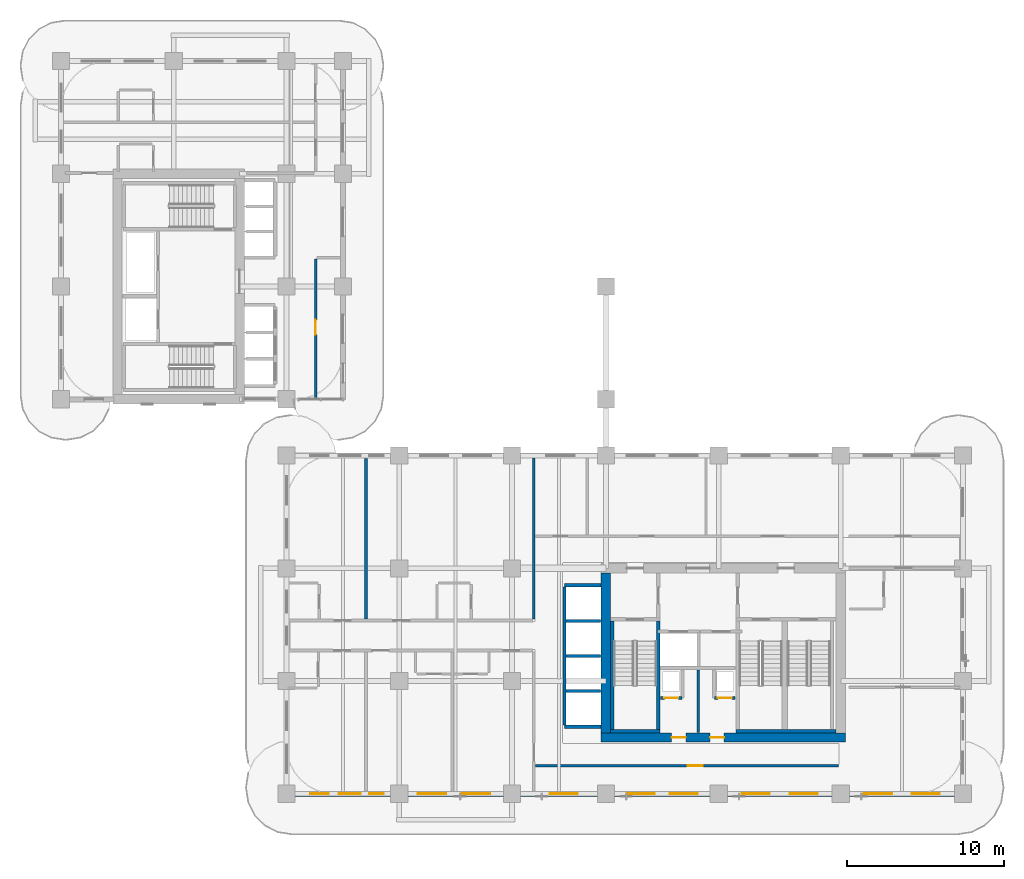
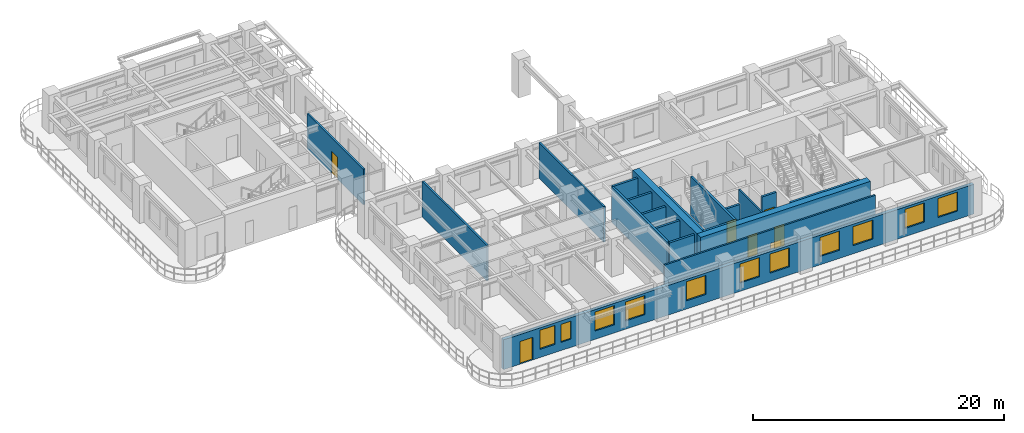
# One storey, part 8 of 19: 20 walls, 11 windows, 7 doors, 18 openings.
"""IFC4 building model written with IfcOpenShell, lengths in metres."""

from ifc_helpers import new_model, si_unit, derived_unit, direction, frame, frame_2d, origin, place, context, subcontext, project, spatial, rectangle, extrude, source, transform, mapped, material, layer, layer_set, type_object, type_shapes, element, fill, save


model = new_model("IFC4")

# Units and contexts
model_context = context("Model", 3, precision=1e-05, world=origin(), true_north=direction((0.0, 1.0)))
body_context = subcontext(model_context, "Body", "Model", "MODEL_VIEW")
ifc_project = project(units=[si_unit("LENGTHUNIT", "METRE"), si_unit("AREAUNIT", "SQUARE_METRE"), si_unit("VOLUMEUNIT", "CUBIC_METRE"), si_unit("PLANEANGLEUNIT", "RADIAN"), si_unit("MASSUNIT", "GRAM", prefix="KILO"), si_unit("THERMODYNAMICTEMPERATUREUNIT", "KELVIN"), si_unit("POWERUNIT", "WATT"), derived_unit("THERMALTRANSMITTANCEUNIT", [(si_unit("POWERUNIT", "WATT"), 1), (si_unit("AREAUNIT", "SQUARE_METRE"), -1), (si_unit("THERMODYNAMICTEMPERATUREUNIT", "KELVIN"), -1)])], contexts=[model_context])

# Site, building, storey
site_placement = place(None, origin())
site = spatial("IfcSite", under=ifc_project, at=site_placement, CompositionType="ELEMENT")
building_placement = place(site_placement, origin())
building = spatial("IfcBuilding", under=site, at=building_placement, Name="Zahravan Archway Hotel and Residences", CompositionType="ELEMENT")
storey_placement = place(building_placement, frame((0.0, 0.0, 32.39990234375)))
storey = spatial("IfcBuildingStorey", under=building, at=storey_placement, Name="L06", CompositionType="ELEMENT", Elevation=32.39990234375)

# Wall, openings, doors
ifc_material_1 = material(Name="Concrete C70/85", Category="concrete")
ifc_layer_1 = layer(ifc_material_1, 0.60009765625, Name="Concrete C70/85", Category="concrete")
ifc_layer_set_1 = layer_set([ifc_layer_1], Name="Concrete C70/85")
wall_type_1 = type_object("IfcWallType", Name="CW-CORE-600", PredefinedType="SHEAR", material=ifc_layer_set_1)
wall_1_placement = place(storey_placement, frame((34.5, 3.60009765625, 0.0), z_axis=(0.0, 0.0, 1.0), x_axis=(1.0, 0.0, 0.0)))
wall_1 = element("IfcWall", 1, at=wall_1_placement, inside=storey, type_object=wall_type_1, Name="L06 Core A Shear S Wall 600 mm", PredefinedType="SHEAR", context=body_context, shape_type="SweptSolid", body=[
    extrude(rectangle(XDim=15.60009765625, YDim=0.60009765625, at=frame_2d((7.800048828125, 0.0))), origin(), (0.0, 0.0, 1.0), 3.7001953125),
])
opening_1_placement = place(wall_1_placement, frame((4.5, 0.0, 0.0)))
opening_1 = element("IfcOpeningElement", 2, at=opening_1_placement, cuts=wall_1, Name="Opening FD-R1", PredefinedType="OPENING", context=body_context, shape_type="SweptSolid", body=[
    extrude(rectangle(XDim=0.89990234375, YDim=2.10009765625, at=frame_2d((0.449951171875, 1.050048828125))), frame((0.0, 0.31005859375, 0.0), z_axis=(0.0, -1.0, 0.0), x_axis=(1.0, 0.0, 0.0)), (0.0, 0.0, 1.0), 0.6201171875),
])
opening_2_placement = place(wall_1_placement, frame((6.949951171875, 0.0, 0.0)))
opening_2 = element("IfcOpeningElement", 3, at=opening_2_placement, cuts=wall_1, Name="Opening FD-R1", PredefinedType="OPENING", context=body_context, shape_type="SweptSolid", body=[
    extrude(rectangle(XDim=0.89990234375, YDim=2.10009765625, at=frame_2d((0.449951171875, 1.050048828125))), frame((0.0, 0.31005859375, 0.0), z_axis=(0.0, -1.0, 0.0), x_axis=(1.0, 0.0, 0.0)), (0.0, 0.0, 1.0), 0.6201171875),
])
ifc_material_2 = material(Name="Fire-Rated Painted Steel", Category="steel")
door_type_1 = type_object("IfcDoorType", Name="FD-RISER-900", OperationType="NOTDEFINED", PredefinedType="DOOR", material=ifc_material_2)
shared_shape_1 = source(origin(), body_context, "Body", "SweptSolid", [
    extrude(rectangle(XDim=0.89990234375, YDim=2.10009765625, at=frame_2d((0.449951171875, 1.050048828125))), frame((0.0, 0.02490234375, 0.0), z_axis=(0.0, -1.0, 0.0), x_axis=(1.0, 0.0, 0.0)), (0.0, 0.0, 1.0), 0.050048828125),
])
type_shapes(door_type_1, [shared_shape_1])
door_1_placement = place(opening_1_placement, origin())
door_1 = element("IfcDoor", 4, at=door_1_placement, inside=storey, type_object=door_type_1, Name="L06 Electrical Switchgear Door", OperationType="SINGLE_SWING_LEFT", OverallHeight=2.10009765625, OverallWidth=0.89990234375, PredefinedType="DOOR", context=body_context, shape_type="MappedRepresentation", body=[
    mapped(shared_shape_1, transform((0.0, 0.0, 0.0), scale=1.0)),
])
fill(opening_1, door_1)
door_2_placement = place(opening_2_placement, origin())
door_2 = element("IfcDoor", 5, at=door_2_placement, inside=storey, type_object=door_type_1, Name="L06 Telecom BMS Door", OperationType="SINGLE_SWING_RIGHT", OverallHeight=2.10009765625, OverallWidth=0.89990234375, PredefinedType="DOOR", context=body_context, shape_type="MappedRepresentation", body=[
    mapped(shared_shape_1, transform((0.0, 0.0, 0.0), scale=1.0)),
])
fill(opening_2, door_2)

# Wall
wall_2_placement = place(storey_placement, frame((34.800048828125, 3.89990234375, 0.0), z_axis=(0.0, 0.0, 1.0), x_axis=(0.0, 1.0, 0.0)))
element("IfcWall", 6, at=wall_2_placement, inside=storey, type_object=wall_type_1, Name="L06 Core A Shear W Wall 600 mm", PredefinedType="SHEAR", context=body_context, shape_type="SweptSolid", body=[
    extrude(rectangle(XDim=10.2001953125, YDim=0.60009765625, at=frame_2d((5.10009765625, 0.0))), origin(), (0.0, 0.0, 1.0), 3.7001953125),
])

# Wall, openings, door, windows
ifc_material_3 = material(Name="Agra Buff Sandstone & Insulated Backup", Category="masonry")
ifc_layer_2 = layer(ifc_material_3, 0.320068359375, Name="Agra Buff Sandstone & Insulated Backup", Category="masonry")
ifc_layer_set_2 = layer_set([ifc_layer_2], Name="Agra Buff Sandstone & Insulated Backup")
wall_type_2 = type_object("IfcWallType", Name="EW-SAND-320", PredefinedType="SOLIDWALL", material=ifc_layer_set_2)
wall_3_placement = place(storey_placement, frame((14.39990234375, 0.0, 0.0), z_axis=(0.0, 0.0, 1.0), x_axis=(1.0, 0.0, 0.0)))
wall_3 = element("IfcWall", 7, at=wall_3_placement, inside=storey, type_object=wall_type_2, Name="L06 Exterior Sandstone Wall WA-S", PredefinedType="SOLIDWALL", context=body_context, shape_type="SweptSolid", body=[
    extrude(rectangle(XDim=43.2001953125, YDim=0.320068359375, at=frame_2d((21.60009765625, 0.0))), origin(), (0.0, 0.0, 1.0), 2.885009765625),
])
opening_3_placement = place(wall_3_placement, frame((1.5, 0.0, 0.0)))
opening_3 = element("IfcOpeningElement", 8, at=opening_3_placement, cuts=wall_3, Name="Opening ED-BL1", PredefinedType="OPENING", context=body_context, shape_type="SweptSolid", body=[
    extrude(rectangle(XDim=1.199951171875, YDim=2.199951171875, at=frame_2d((0.60009765625, 1.10009765625))), frame((0.0, 0.169921875, 0.0), z_axis=(0.0, -1.0, 0.0), x_axis=(1.0, 0.0, 0.0)), (0.0, 0.0, 1.0), 0.340087890625),
])
opening_4_placement = place(wall_3_placement, frame((3.3359375, 0.0, 0.800048828125)))
opening_4 = element("IfcOpeningElement", 9, at=opening_4_placement, cuts=wall_3, Name="Opening W-03", PredefinedType="OPENING", context=body_context, shape_type="SweptSolid", body=[
    extrude(rectangle(XDim=1.39990234375, YDim=1.85009765625, at=frame_2d((0.699951171875, 0.925048828125))), frame((0.0, 0.169921875, 0.0), z_axis=(0.0, -1.0, 0.0), x_axis=(1.0, 0.0, 0.0)), (0.0, 0.0, 1.0), 0.340087890625),
])
opening_5_placement = place(wall_3_placement, frame((5.26904296875, 0.0, 0.800048828125)))
opening_5 = element("IfcOpeningElement", 10, at=opening_5_placement, cuts=wall_3, Name="Opening W-04", PredefinedType="OPENING", context=body_context, shape_type="SweptSolid", body=[
    extrude(rectangle(XDim=0.949951171875, YDim=1.75, at=frame_2d((0.47509765625, 0.875))), frame((0.0, 0.169921875, 0.0), z_axis=(0.0, -1.0, 0.0), x_axis=(1.0, 0.0, 0.0)), (0.0, 0.0, 1.0), 0.340087890625),
])
opening_6_placement = place(wall_3_placement, frame((8.388916015625, 0.0, 0.800048828125)))
opening_6 = element("IfcOpeningElement", 11, at=opening_6_placement, cuts=wall_3, Name="Opening W-02", PredefinedType="OPENING", context=body_context, shape_type="SweptSolid", body=[
    extrude(rectangle(XDim=1.800048828125, YDim=1.85009765625, at=frame_2d((0.89990234375, 0.925048828125))), frame((0.0, 0.169921875, 0.0), z_axis=(0.0, -1.0, 0.0), x_axis=(1.0, 0.0, 0.0)), (0.0, 0.0, 1.0), 0.340087890625),
])
opening_7_placement = place(wall_3_placement, frame((11.197021484375, 0.0, 0.800048828125)))
opening_7 = element("IfcOpeningElement", 12, at=opening_7_placement, cuts=wall_3, Name="Opening W-02", PredefinedType="OPENING", context=body_context, shape_type="SweptSolid", body=[
    extrude(rectangle(XDim=1.800048828125, YDim=1.85009765625, at=frame_2d((0.89990234375, 0.925048828125))), frame((0.0, 0.169921875, 0.0), z_axis=(0.0, -1.0, 0.0), x_axis=(1.0, 0.0, 0.0)), (0.0, 0.0, 1.0), 0.340087890625),
])
opening_8_placement = place(wall_3_placement, frame((16.803955078125, 0.0, 0.800048828125)))
opening_8 = element("IfcOpeningElement", 13, at=opening_8_placement, cuts=wall_3, Name="Opening W-02", PredefinedType="OPENING", context=body_context, shape_type="SweptSolid", body=[
    extrude(rectangle(XDim=1.800048828125, YDim=1.85009765625, at=frame_2d((0.89990234375, 0.925048828125))), frame((0.0, 0.169921875, 0.0), z_axis=(0.0, -1.0, 0.0), x_axis=(1.0, 0.0, 0.0)), (0.0, 0.0, 1.0), 0.340087890625),
])
opening_9_placement = place(wall_3_placement, frame((21.72509765625, 0.0, 0.800048828125)))
opening_9 = element("IfcOpeningElement", 14, at=opening_9_placement, cuts=wall_3, Name="Opening W-02", PredefinedType="OPENING", context=body_context, shape_type="SweptSolid", body=[
    extrude(rectangle(XDim=1.800048828125, YDim=1.85009765625, at=frame_2d((0.89990234375, 0.925048828125))), frame((0.0, 0.169921875, 0.0), z_axis=(0.0, -1.0, 0.0), x_axis=(1.0, 0.0, 0.0)), (0.0, 0.0, 1.0), 0.340087890625),
])
opening_10_placement = place(wall_3_placement, frame((24.47509765625, 0.0, 0.800048828125)))
opening_10 = element("IfcOpeningElement", 15, at=opening_10_placement, cuts=wall_3, Name="Opening W-02", PredefinedType="OPENING", context=body_context, shape_type="SweptSolid", body=[
    extrude(rectangle(XDim=1.800048828125, YDim=1.85009765625, at=frame_2d((0.89990234375, 0.925048828125))), frame((0.0, 0.169921875, 0.0), z_axis=(0.0, -1.0, 0.0), x_axis=(1.0, 0.0, 0.0)), (0.0, 0.0, 1.0), 0.340087890625),
])
opening_11_placement = place(wall_3_placement, frame((29.074951171875, 0.0, 0.800048828125)))
opening_11 = element("IfcOpeningElement", 16, at=opening_11_placement, cuts=wall_3, Name="Opening W-02", PredefinedType="OPENING", context=body_context, shape_type="SweptSolid", body=[
    extrude(rectangle(XDim=1.800048828125, YDim=1.85009765625, at=frame_2d((0.89990234375, 0.925048828125))), frame((0.0, 0.169921875, 0.0), z_axis=(0.0, -1.0, 0.0), x_axis=(1.0, 0.0, 0.0)), (0.0, 0.0, 1.0), 0.340087890625),
])
opening_12_placement = place(wall_3_placement, frame((32.125, 0.0, 0.800048828125)))
opening_12 = element("IfcOpeningElement", 17, at=opening_12_placement, cuts=wall_3, Name="Opening W-02", PredefinedType="OPENING", context=body_context, shape_type="SweptSolid", body=[
    extrude(rectangle(XDim=1.800048828125, YDim=1.85009765625, at=frame_2d((0.89990234375, 0.925048828125))), frame((0.0, 0.169921875, 0.0), z_axis=(0.0, -1.0, 0.0), x_axis=(1.0, 0.0, 0.0)), (0.0, 0.0, 1.0), 0.340087890625),
])
opening_13_placement = place(wall_3_placement, frame((36.875, 0.0, 0.800048828125)))
opening_13 = element("IfcOpeningElement", 18, at=opening_13_placement, cuts=wall_3, Name="Opening W-02", PredefinedType="OPENING", context=body_context, shape_type="SweptSolid", body=[
    extrude(rectangle(XDim=1.800048828125, YDim=1.85009765625, at=frame_2d((0.89990234375, 0.925048828125))), frame((0.0, 0.169921875, 0.0), z_axis=(0.0, -1.0, 0.0), x_axis=(1.0, 0.0, 0.0)), (0.0, 0.0, 1.0), 0.340087890625),
])
opening_14_placement = place(wall_3_placement, frame((39.925048828125, 0.0, 0.800048828125)))
opening_14 = element("IfcOpeningElement", 19, at=opening_14_placement, cuts=wall_3, Name="Opening W-02", PredefinedType="OPENING", context=body_context, shape_type="SweptSolid", body=[
    extrude(rectangle(XDim=1.800048828125, YDim=1.85009765625, at=frame_2d((0.89990234375, 0.925048828125))), frame((0.0, 0.169921875, 0.0), z_axis=(0.0, -1.0, 0.0), x_axis=(1.0, 0.0, 0.0)), (0.0, 0.0, 1.0), 0.340087890625),
])
ifc_material_4 = material(Name="Bronze-Anodized Glazed Aluminium", Category="aluminium")
door_type_2 = type_object("IfcDoorType", Name="ED-BALC-1200", OperationType="SLIDING_TO_LEFT", PredefinedType="DOOR", material=ifc_material_4)
shared_shape_2 = source(origin(), body_context, "Body", "SweptSolid", [
    extrude(rectangle(XDim=1.199951171875, YDim=2.199951171875, at=frame_2d((0.60009765625, 1.10009765625))), frame((0.0, 0.02490234375, 0.0), z_axis=(0.0, -1.0, 0.0), x_axis=(1.0, 0.0, 0.0)), (0.0, 0.0, 1.0), 0.050048828125),
])
type_shapes(door_type_2, [shared_shape_2])
door_3_placement = place(opening_3_placement, origin())
door_3 = element("IfcDoor", 20, at=door_3_placement, inside=storey, type_object=door_type_2, Name="L06 Outdoor Access Sliding Door (SLB-BAL-L06-SA)", OperationType="SLIDING_TO_LEFT", OverallHeight=2.199951171875, OverallWidth=1.199951171875, PredefinedType="DOOR", context=body_context, shape_type="MappedRepresentation", body=[
    mapped(shared_shape_2, transform((0.0, 0.0, 0.0), scale=1.0)),
])
fill(opening_3, door_3)
ifc_material_5 = material(Name="Bronze-Anodized Thermal-Break Aluminium & Low-E Glass", Category="aluminium")
window_type_1 = type_object("IfcWindowType", Name="WIN-TWR-1400", PartitioningType="SINGLE_PANEL", PredefinedType="WINDOW", material=ifc_material_5)
shared_shape_3 = source(origin(), body_context, "Body", "SweptSolid", [
    extrude(rectangle(XDim=1.39990234375, YDim=1.85009765625, at=frame_2d((0.699951171875, 0.925048828125))), frame((0.0, 0.030029296875, 0.0), z_axis=(0.0, -1.0, 0.0), x_axis=(1.0, 0.0, 0.0)), (0.0, 0.0, 1.0), 0.06005859375),
])
type_shapes(window_type_1, [shared_shape_3])
window_1_placement = place(opening_4_placement, origin())
window_1 = element("IfcWindow", 21, at=window_1_placement, inside=storey, type_object=window_type_1, Name="L06 Loggia Window 01", OverallHeight=1.85009765625, OverallWidth=1.39990234375, PartitioningType="SINGLE_PANEL", PredefinedType="WINDOW", context=body_context, shape_type="MappedRepresentation", body=[
    mapped(shared_shape_3, transform((0.0, 0.0, 0.0), scale=1.0)),
])
fill(opening_4, window_1)
window_type_2 = type_object("IfcWindowType", Name="WIN-NAR-950", PartitioningType="SINGLE_PANEL", PredefinedType="WINDOW", material=ifc_material_5)
shared_shape_4 = source(origin(), body_context, "Body", "SweptSolid", [
    extrude(rectangle(XDim=0.949951171875, YDim=1.75, at=frame_2d((0.47509765625, 0.875))), frame((0.0, 0.030029296875, 0.0), z_axis=(0.0, -1.0, 0.0), x_axis=(1.0, 0.0, 0.0)), (0.0, 0.0, 1.0), 0.06005859375),
])
type_shapes(window_type_2, [shared_shape_4])
window_2_placement = place(opening_5_placement, origin())
window_2 = element("IfcWindow", 22, at=window_2_placement, inside=storey, type_object=window_type_2, Name="L06 Loggia Window 02", OverallHeight=1.75, OverallWidth=0.949951171875, PartitioningType="SINGLE_PANEL", PredefinedType="WINDOW", context=body_context, shape_type="MappedRepresentation", body=[
    mapped(shared_shape_4, transform((0.0, 0.0, 0.0), scale=1.0)),
])
fill(opening_5, window_2)
window_type_3 = type_object("IfcWindowType", Name="WIN-TWR-1800", PartitioningType="DOUBLE_PANEL_VERTICAL", PredefinedType="WINDOW", material=ifc_material_5)
shared_shape_5 = source(origin(), body_context, "Body", "SweptSolid", [
    extrude(rectangle(XDim=1.800048828125, YDim=1.85009765625, at=frame_2d((0.89990234375, 0.925048828125))), frame((0.0, 0.030029296875, 0.0), z_axis=(0.0, -1.0, 0.0), x_axis=(1.0, 0.0, 0.0)), (0.0, 0.0, 1.0), 0.06005859375),
])
type_shapes(window_type_3, [shared_shape_5])
window_3_placement = place(opening_6_placement, origin())
window_3 = element("IfcWindow", 23, at=window_3_placement, inside=storey, type_object=window_type_3, Name="L06 Loggia Window 03", OverallHeight=1.85009765625, OverallWidth=1.800048828125, PartitioningType="DOUBLE_PANEL_VERTICAL", PredefinedType="WINDOW", context=body_context, shape_type="MappedRepresentation", body=[
    mapped(shared_shape_5, transform((0.0, 0.0, 0.0), scale=1.0)),
])
fill(opening_6, window_3)
window_4_placement = place(opening_7_placement, origin())
window_4 = element("IfcWindow", 24, at=window_4_placement, inside=storey, type_object=window_type_3, Name="L06 Loggia Window 04", OverallHeight=1.85009765625, OverallWidth=1.800048828125, PartitioningType="DOUBLE_PANEL_VERTICAL", PredefinedType="WINDOW", context=body_context, shape_type="MappedRepresentation", body=[
    mapped(shared_shape_5, transform((0.0, 0.0, 0.0), scale=1.0)),
])
fill(opening_7, window_4)
window_5_placement = place(opening_8_placement, origin())
window_5 = element("IfcWindow", 25, at=window_5_placement, inside=storey, type_object=window_type_3, Name="L06 Loggia Window 05", OverallHeight=1.85009765625, OverallWidth=1.800048828125, PartitioningType="DOUBLE_PANEL_VERTICAL", PredefinedType="WINDOW", context=body_context, shape_type="MappedRepresentation", body=[
    mapped(shared_shape_5, transform((0.0, 0.0, 0.0), scale=1.0)),
])
fill(opening_8, window_5)
window_6_placement = place(opening_9_placement, origin())
window_6 = element("IfcWindow", 26, at=window_6_placement, inside=storey, type_object=window_type_3, Name="L06 Loggia Window 06", OverallHeight=1.85009765625, OverallWidth=1.800048828125, PartitioningType="DOUBLE_PANEL_VERTICAL", PredefinedType="WINDOW", context=body_context, shape_type="MappedRepresentation", body=[
    mapped(shared_shape_5, transform((0.0, 0.0, 0.0), scale=1.0)),
])
fill(opening_9, window_6)
window_7_placement = place(opening_10_placement, origin())
window_7 = element("IfcWindow", 27, at=window_7_placement, inside=storey, type_object=window_type_3, Name="L06 Loggia Window 07", OverallHeight=1.85009765625, OverallWidth=1.800048828125, PartitioningType="DOUBLE_PANEL_VERTICAL", PredefinedType="WINDOW", context=body_context, shape_type="MappedRepresentation", body=[
    mapped(shared_shape_5, transform((0.0, 0.0, 0.0), scale=1.0)),
])
fill(opening_10, window_7)
window_8_placement = place(opening_11_placement, origin())
window_8 = element("IfcWindow", 28, at=window_8_placement, inside=storey, type_object=window_type_3, Name="L06 Loggia Window 08", OverallHeight=1.85009765625, OverallWidth=1.800048828125, PartitioningType="DOUBLE_PANEL_VERTICAL", PredefinedType="WINDOW", context=body_context, shape_type="MappedRepresentation", body=[
    mapped(shared_shape_5, transform((0.0, 0.0, 0.0), scale=1.0)),
])
fill(opening_11, window_8)
window_9_placement = place(opening_12_placement, origin())
window_9 = element("IfcWindow", 29, at=window_9_placement, inside=storey, type_object=window_type_3, Name="L06 Loggia Window 09", OverallHeight=1.85009765625, OverallWidth=1.800048828125, PartitioningType="DOUBLE_PANEL_VERTICAL", PredefinedType="WINDOW", context=body_context, shape_type="MappedRepresentation", body=[
    mapped(shared_shape_5, transform((0.0, 0.0, 0.0), scale=1.0)),
])
fill(opening_12, window_9)
window_10_placement = place(opening_13_placement, origin())
window_10 = element("IfcWindow", 30, at=window_10_placement, inside=storey, type_object=window_type_3, Name="L06 Loggia Window 10", OverallHeight=1.85009765625, OverallWidth=1.800048828125, PartitioningType="DOUBLE_PANEL_VERTICAL", PredefinedType="WINDOW", context=body_context, shape_type="MappedRepresentation", body=[
    mapped(shared_shape_5, transform((0.0, 0.0, 0.0), scale=1.0)),
])
fill(opening_13, window_10)
window_11_placement = place(opening_14_placement, origin())
window_11 = element("IfcWindow", 31, at=window_11_placement, inside=storey, type_object=window_type_3, Name="L06 Loggia Window 11", OverallHeight=1.85009765625, OverallWidth=1.800048828125, PartitioningType="DOUBLE_PANEL_VERTICAL", PredefinedType="WINDOW", context=body_context, shape_type="MappedRepresentation", body=[
    mapped(shared_shape_5, transform((0.0, 0.0, 0.0), scale=1.0)),
])
fill(opening_14, window_11)

# Wall
ifc_material_6 = material(Name="Fire-Rated Gypsum & Concrete Block", Category="concrete")
ifc_layer_3 = layer(ifc_material_6, 0.159912109375, Name="Fire-Rated Gypsum & Concrete Block", Category="concrete")
ifc_layer_set_3 = layer_set([ifc_layer_3], Name="Fire-Rated Gypsum & Concrete Block")
wall_type_3 = type_object("IfcWallType", Name="PW-CORR-160", PredefinedType="PARTITIONING", material=ifc_layer_set_3)
wall_4_placement = place(storey_placement, frame((30.199951171875, 11.159912109375, 0.0), z_axis=(0.0, 0.0, 1.0), x_axis=(0.0, 1.0, 0.0)))
element("IfcWall", 32, at=wall_4_placement, inside=storey, type_object=wall_type_3, Name="L06 Partition WA-FW", PredefinedType="PARTITIONING", context=body_context, shape_type="SweptSolid", body=[
    extrude(rectangle(XDim=10.300048828125, YDim=0.159912109375, at=frame_2d((5.14990234375, 0.0))), origin(), (0.0, 0.0, 1.0), 3.4501953125),
])

# Wall, opening, door
wall_5_placement = place(storey_placement, frame((30.2900390625, 1.800048828125, 0.0), z_axis=(0.0, 0.0, 1.0), x_axis=(1.0, 0.0, 0.0)))
wall_5 = element("IfcWall", 33, at=wall_5_placement, inside=storey, type_object=wall_type_3, Name="L06 Partition WA-SRS", PredefinedType="PARTITIONING", context=body_context, shape_type="SweptSolid", body=[
    extrude(rectangle(XDim=19.369873046875, YDim=0.159912109375, at=frame_2d((9.68505859375, 0.0))), origin(), (0.0, 0.0, 1.0), 3.4501953125),
])
opening_15_placement = place(wall_5_placement, frame((9.735107421875, 0.0, 0.0)))
opening_15 = element("IfcOpeningElement", 34, at=opening_15_placement, cuts=wall_5, Name="Opening D-I1", PredefinedType="OPENING", context=body_context, shape_type="SweptSolid", body=[
    extrude(rectangle(XDim=0.949951171875, YDim=2.14990234375, at=frame_2d((0.47509765625, 1.074951171875))), frame((0.0, 0.08984375, 0.0), z_axis=(0.0, -1.0, 0.0), x_axis=(1.0, 0.0, 0.0)), (0.0, 0.0, 1.0), 0.179931640625),
])
ifc_material_7 = material(Name="Hardwood Veneer Timber", Category="wood")
door_type_3 = type_object("IfcDoorType", Name="ID-INT-950", OperationType="NOTDEFINED", PredefinedType="DOOR", material=ifc_material_7)
shared_shape_6 = source(origin(), body_context, "Body", "SweptSolid", [
    extrude(rectangle(XDim=0.949951171875, YDim=2.14990234375, at=frame_2d((0.47509765625, 1.074951171875))), frame((0.0, 0.02490234375, 0.0), z_axis=(0.0, -1.0, 0.0), x_axis=(1.0, 0.0, 0.0)), (0.0, 0.0, 1.0), 0.050048828125),
])
type_shapes(door_type_3, [shared_shape_6])
door_4_placement = place(opening_15_placement, origin())
door_4 = element("IfcDoor", 35, at=door_4_placement, inside=storey, type_object=door_type_3, Name="L06 South Viewing Lounge Door", OperationType="SINGLE_SWING_LEFT", OverallHeight=2.14990234375, OverallWidth=0.949951171875, PredefinedType="DOOR", context=body_context, shape_type="MappedRepresentation", body=[
    mapped(shared_shape_6, transform((0.0, 0.0, 0.0), scale=1.0)),
])
fill(opening_15, door_4)

wall_6_placement = place(storey_placement, frame((16.25, 25.22802734375, 0.0), z_axis=(0.0, 0.0, 1.0), x_axis=(0.0, 1.0, 0.0)))
wall_6 = element("IfcWall", 36, at=wall_6_placement, inside=storey, type_object=wall_type_3, Name="L06 Partition WB-CE", PredefinedType="PARTITIONING", context=body_context, shape_type="SweptSolid", body=[
    extrude(rectangle(XDim=8.931884765625, YDim=0.159912109375, at=frame_2d((4.4658203125, 0.0))), origin(), (0.0, 0.0, 1.0), 3.4501953125),
])
opening_16_placement = place(wall_6_placement, frame((4.096923828125, 0.0, 0.0)))
opening_16 = element("IfcOpeningElement", 37, at=opening_16_placement, cuts=wall_6, Name="Opening D-I1", PredefinedType="OPENING", context=body_context, shape_type="SweptSolid", body=[
    extrude(rectangle(XDim=0.949951171875, YDim=2.14990234375, at=frame_2d((0.47509765625, 1.074951171875))), frame((0.0, 0.08984375, 0.0), z_axis=(0.0, -1.0, 0.0), x_axis=(1.0, 0.0, 0.0)), (0.0, 0.0, 1.0), 0.179931640625),
])
door_5_placement = place(opening_16_placement, origin())
door_5 = element("IfcDoor", 38, at=door_5_placement, inside=storey, type_object=door_type_3, Name="L06 Wing B Portal Study Door", OperationType="SINGLE_SWING_RIGHT", OverallHeight=2.14990234375, OverallWidth=0.949951171875, PredefinedType="DOOR", context=body_context, shape_type="MappedRepresentation", body=[
    mapped(shared_shape_6, transform((0.0, 0.0, 0.0), scale=1.0)),
])
fill(opening_16, door_5)

ifc_layer_4 = layer(ifc_material_6, 0.199951171875, Name="Fire-Rated Gypsum & Concrete Block", Category="concrete")
ifc_layer_set_4 = layer_set([ifc_layer_4], Name="Fire-Rated Gypsum & Concrete Block")
wall_type_4 = type_object("IfcWallType", Name="PW-SHAFT-200", PredefinedType="PARTITIONING", material=ifc_layer_set_4)
wall_7_placement = place(storey_placement, frame((38.2900390625, 6.1201171875, 0.0), z_axis=(0.0, 0.0, 1.0), x_axis=(1.0, 0.0, 0.0)))
wall_7 = element("IfcWall", 39, at=wall_7_placement, inside=storey, type_object=wall_type_4, Name="L06 Partition CA-SMKS", PredefinedType="PARTITIONING", context=body_context, shape_type="SweptSolid", body=[
    extrude(rectangle(XDim=1.3798828125, YDim=0.199951171875, at=frame_2d((0.68994140625, 0.0))), origin(), (0.0, 0.0, 1.0), 3.4501953125),
])
opening_17_placement = place(wall_7_placement, frame((0.239990234375, 0.0, 0.0)))
opening_17 = element("IfcOpeningElement", 40, at=opening_17_placement, cuts=wall_7, Name="Opening FD-R1", PredefinedType="OPENING", context=body_context, shape_type="SweptSolid", body=[
    extrude(rectangle(XDim=0.89990234375, YDim=2.10009765625, at=frame_2d((0.449951171875, 1.050048828125))), frame((0.0, 0.10986328125, 0.0), z_axis=(0.0, -1.0, 0.0), x_axis=(1.0, 0.0, 0.0)), (0.0, 0.0, 1.0), 0.219970703125),
])
door_6_placement = place(opening_17_placement, origin())
door_6 = element("IfcDoor", 41, at=door_6_placement, inside=storey, type_object=door_type_1, Name="L06 Smoke Riser Access Door", OperationType="SINGLE_SWING_LEFT", OverallHeight=2.10009765625, OverallWidth=0.89990234375, PredefinedType="DOOR", context=body_context, shape_type="MappedRepresentation", body=[
    mapped(shared_shape_1, transform((0.0, 0.0, 0.0), scale=1.0)),
])
fill(opening_17, door_6)

wall_8_placement = place(storey_placement, frame((41.72998046875, 6.1201171875, 0.0), z_axis=(0.0, 0.0, 1.0), x_axis=(1.0, 0.0, 0.0)))
wall_8 = element("IfcWall", 42, at=wall_8_placement, inside=storey, type_object=wall_type_4, Name="L06 Partition CA-MEPS", PredefinedType="PARTITIONING", context=body_context, shape_type="SweptSolid", body=[
    extrude(rectangle(XDim=1.320068359375, YDim=0.199951171875, at=frame_2d((0.66015625, 0.0))), origin(), (0.0, 0.0, 1.0), 3.4501953125),
])
opening_18_placement = place(wall_8_placement, frame((0.219970703125, 0.0, 0.0)))
opening_18 = element("IfcOpeningElement", 43, at=opening_18_placement, cuts=wall_8, Name="Opening FD-R1", PredefinedType="OPENING", context=body_context, shape_type="SweptSolid", body=[
    extrude(rectangle(XDim=0.89990234375, YDim=2.10009765625, at=frame_2d((0.449951171875, 1.050048828125))), frame((0.0, 0.10986328125, 0.0), z_axis=(0.0, -1.0, 0.0), x_axis=(1.0, 0.0, 0.0)), (0.0, 0.0, 1.0), 0.219970703125),
])
door_7_placement = place(opening_18_placement, origin())
door_7 = element("IfcDoor", 44, at=door_7_placement, inside=storey, type_object=door_type_1, Name="L06 MEP Riser Access Door", OperationType="SINGLE_SWING_RIGHT", OverallHeight=2.10009765625, OverallWidth=0.89990234375, PredefinedType="DOOR", context=body_context, shape_type="MappedRepresentation", body=[
    mapped(shared_shape_1, transform((0.0, 0.0, 0.0), scale=1.0)),
])
fill(opening_18, door_7)

# Walls
for number, where, z_axis, x_axis, name in (
    (45, (32.159912109375, 4.280029296875, 0.0), (0.0, 0.0, 1.0), (1.0, 0.0, 0.0), "L06 Partition B3-S"),
    (46, (32.159912109375, 13.320068359375, 0.0), (0.0, 0.0, 1.0), (1.0, 0.0, 0.0), "L06 Partition B3-N"),
):
    element("IfcWall", number, at=place(storey_placement, frame(where, z_axis=z_axis, x_axis=x_axis)), inside=storey, type_object=wall_type_4, Name=name, PredefinedType="PARTITIONING", context=body_context, shape_type="SweptSolid", body=[
        extrude(rectangle(XDim=2.31005859375, YDim=0.199951171875, at=frame_2d((1.155029296875, 0.0))), origin(), (0.0, 0.0, 1.0), 3.4501953125),
    ])
wall_9_placement = place(storey_placement, frame((32.14990234375, 4.389892578125, 0.0), z_axis=(0.0, 0.0, 1.0), x_axis=(0.0, 1.0, 0.0)))
element("IfcWall", 47, at=wall_9_placement, inside=storey, type_object=wall_type_4, Name="L06 Partition B3-W", PredefinedType="PARTITIONING", context=body_context, shape_type="SweptSolid", body=[
    extrude(rectangle(XDim=8.820068359375, YDim=0.199951171875, at=frame_2d((4.41015625, 0.0))), origin(), (0.0, 0.0, 1.0), 3.4501953125),
])
for number, where, z_axis, x_axis, name in (
    (48, (32.260009765625, 6.56005859375, 0.0), (0.0, 0.0, 1.0), (1.0, 0.0, 0.0), "L06 Partition B3-D"),
    (49, (32.260009765625, 8.800048828125, 0.0), (0.0, 0.0, 1.0), (1.0, 0.0, 0.0), "L06 Partition B3-D"),
    (50, (32.260009765625, 11.0400390625, 0.0), (0.0, 0.0, 1.0), (1.0, 0.0, 0.0), "L06 Partition B3-D"),
):
    element("IfcWall", number, at=place(storey_placement, frame(where, z_axis=z_axis, x_axis=x_axis)), inside=storey, type_object=wall_type_4, Name=name, PredefinedType="PARTITIONING", context=body_context, shape_type="SweptSolid", body=[
        extrude(rectangle(XDim=2.179931640625, YDim=0.199951171875, at=frame_2d((1.08984375, 0.0))), origin(), (0.0, 0.0, 1.0), 3.4501953125),
    ])
ifc_material_8 = material(Name="Acoustic Stud Partition")
ifc_layer_5 = layer(ifc_material_8, 0.169921875, Name="Acoustic Stud Partition")
ifc_layer_set_5 = layer_set([ifc_layer_5], Name="Acoustic Stud Partition")
wall_type_5 = type_object("IfcWallType", Name="PW-UNIT-170", PredefinedType="PARTITIONING", material=ifc_layer_set_5)
wall_10_placement = place(storey_placement, frame((19.47998046875, 11.159912109375, 0.0), z_axis=(0.0, 0.0, 1.0), x_axis=(0.0, 1.0, 0.0)))
element("IfcWall", 51, at=wall_10_placement, inside=storey, type_object=wall_type_5, Name="L06 Partition WAN-P0", PredefinedType="PARTITIONING", context=body_context, shape_type="SweptSolid", body=[
    extrude(rectangle(XDim=10.27197265625, YDim=0.169921875, at=frame_2d((5.135986328125, 0.0))), origin(), (0.0, 0.0, 1.0), 3.4501953125),
])
ifc_material_9 = material(Name="Moisture-Resistant Blockwork", Category="masonry")
ifc_layer_6 = layer(ifc_material_9, 0.139892578125, Name="Moisture-Resistant Blockwork", Category="masonry")
ifc_layer_set_6 = layer_set([ifc_layer_6], Name="Moisture-Resistant Blockwork")
wall_type_6 = type_object("IfcWallType", Name="PW-WET-140", PredefinedType="PARTITIONING", material=ifc_layer_set_6)
wall_11_placement = place(storey_placement, frame((40.699951171875, 3.919921875, 0.0), z_axis=(0.0, 0.0, 1.0), x_axis=(0.0, 1.0, 0.0)))
element("IfcWall", 52, at=wall_11_placement, inside=storey, type_object=wall_type_6, Name="L06 Partition CA-CV0", PredefinedType="PARTITIONING", context=body_context, shape_type="SweptSolid", body=[
    extrude(rectangle(XDim=3.989990234375, YDim=0.139892578125, at=frame_2d((1.9951171875, 0.0))), origin(), (0.0, 0.0, 1.0), 3.4501953125),
])
ifc_material_10 = material(Name="Concrete C50/60", Category="concrete")
ifc_layer_7 = layer(ifc_material_10, 0.199951171875, Name="Concrete C50/60", Category="concrete")
ifc_layer_set_7 = layer_set([ifc_layer_7], Name="Concrete C50/60")
wall_type_7 = type_object("IfcWallType", Name="SW-STAIR-200", PredefinedType="SHEAR", material=ifc_layer_set_7)
wall_12_placement = place(storey_placement, frame((35.10009765625, 4.0, 0.0), z_axis=(0.0, 0.0, 1.0), x_axis=(1.0, 0.0, 0.0)))
element("IfcWall", 53, at=wall_12_placement, inside=storey, type_object=wall_type_7, Name="L06 Stairwell RC Wall CA-SA1S", PredefinedType="SHEAR", context=body_context, shape_type="SweptSolid", body=[
    extrude(rectangle(XDim=3.139892578125, YDim=0.199951171875, at=frame_2d((1.56982421875, 0.0))), origin(), (0.0, 0.0, 1.0), 3.7001953125),
])
for number, where, z_axis, x_axis, name in (
    (54, (35.199951171875, 4.10009765625, 0.0), (0.0, 0.0, 1.0), (0.0, 1.0, 0.0), "L06 Stairwell RC Wall CA-SA1W"),
    (55, (38.139892578125, 4.10009765625, 0.0), (0.0, 0.0, 1.0), (0.0, 1.0, 0.0), "L06 Stairwell RC Wall CA-SA1E"),
):
    element("IfcWall", number, at=place(storey_placement, frame(where, z_axis=z_axis, x_axis=x_axis)), inside=storey, type_object=wall_type_7, Name=name, PredefinedType="SHEAR", context=body_context, shape_type="SweptSolid", body=[
        extrude(rectangle(XDim=6.949951171875, YDim=0.199951171875, at=frame_2d((3.47509765625, 0.0))), origin(), (0.0, 0.0, 1.0), 3.7001953125),
    ])
wall_13_placement = place(storey_placement, frame((43.1201171875, 4.0, 0.0), z_axis=(0.0, 0.0, 1.0), x_axis=(1.0, 0.0, 0.0)))
element("IfcWall", 56, at=wall_13_placement, inside=storey, type_object=wall_type_7, Name="L06 Stairwell RC Wall CA-SA23S", PredefinedType="SHEAR", context=body_context, shape_type="SweptSolid", body=[
    extrude(rectangle(XDim=6.3798828125, YDim=0.199951171875, at=frame_2d((3.18994140625, 0.0))), origin(), (0.0, 0.0, 1.0), 3.7001953125),
])

save(model, "model.ifc")
